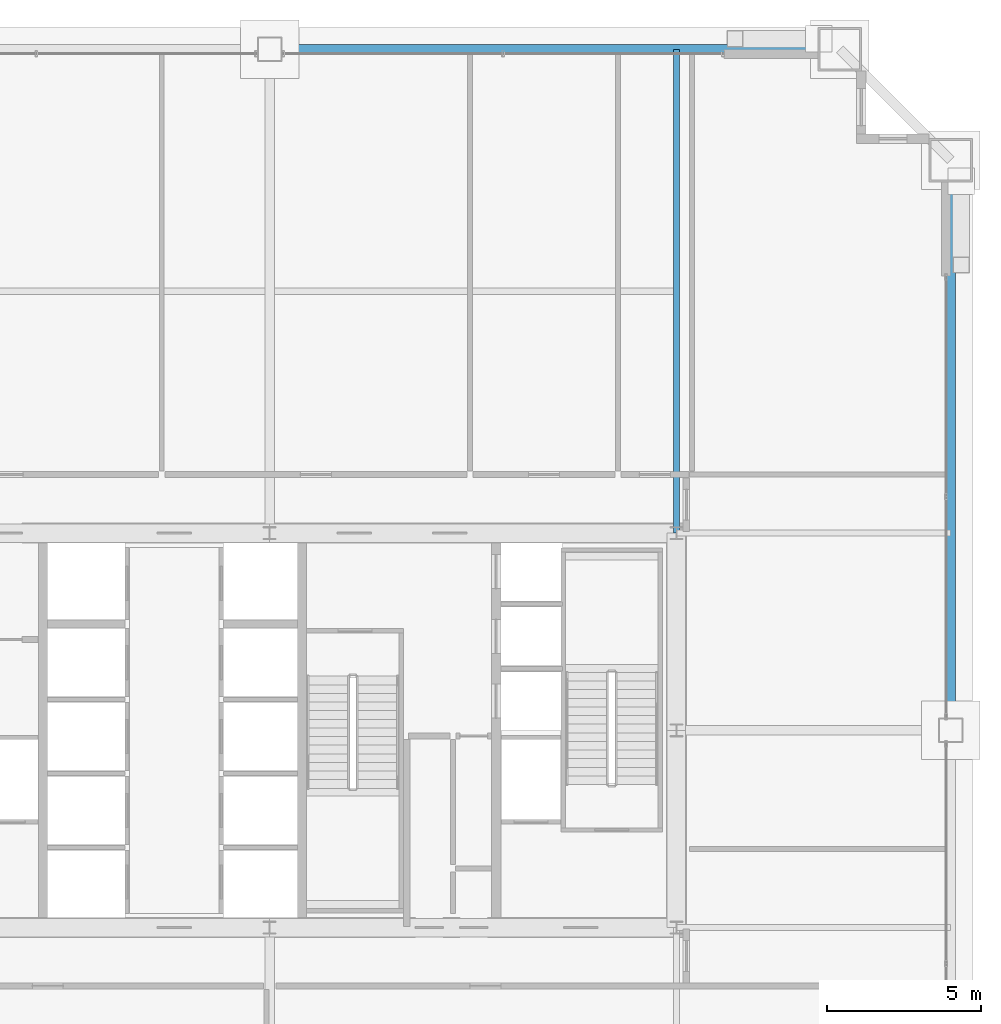
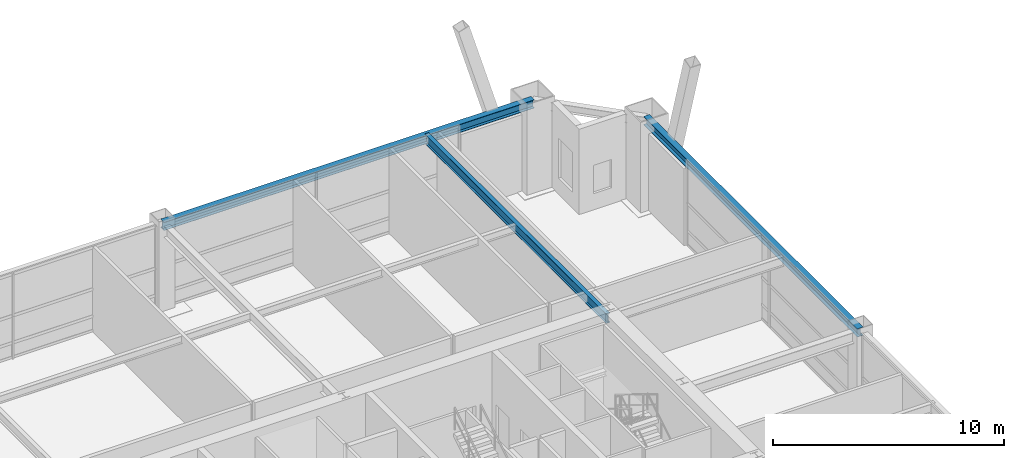
# One storey, part 27 of 34: 3 beams.
"""IFC4 building model written with IfcOpenShell, lengths in metres."""

from ifc_helpers import new_model, si_unit, direction, frame, origin, origin_2d, place, context, subcontext, project, spatial, i_section, extrude, source, transform, mapped, material, material_profile, profile_set, type_object, element, save


model = new_model("IFC4")

# Units and contexts
model_context = context("Model", 3, precision=1e-05, world=origin(), true_north=direction((0.0, 1.0)))
body_context = subcontext(model_context, "Body", "Model", "MODEL_VIEW")
ifc_project = project(units=[si_unit("LENGTHUNIT", "METRE"), si_unit("AREAUNIT", "SQUARE_METRE"), si_unit("VOLUMEUNIT", "CUBIC_METRE"), si_unit("PLANEANGLEUNIT", "RADIAN"), si_unit("MASSUNIT", "GRAM", prefix="KILO"), si_unit("THERMODYNAMICTEMPERATUREUNIT", "KELVIN"), si_unit("POWERUNIT", "WATT")], contexts=[model_context])

# Site, building, storey
site_placement = place(None, origin())
site = spatial("IfcSite", under=ifc_project, at=site_placement, CompositionType="ELEMENT")
building_placement = place(site_placement, origin())
building = spatial("IfcBuilding", under=site, at=building_placement, Name="Yuzanri Waterfront Tower", CompositionType="ELEMENT")
storey_placement = place(building_placement, frame((0.0, 0.0, 166.800048828125)))
storey = spatial("IfcBuildingStorey", under=building, at=storey_placement, Name="L44", CompositionType="ELEMENT", Elevation=166.800048828125)

# Beams
ifc_material_1 = material(Name="Steel Q355B", Category="steel")
ifc_material_profile_1 = material_profile(ifc_material_1, i_section(OverallWidth=0.300048828125, OverallDepth=0.43994140625, WebThickness=0.010986328125, FlangeThickness=0.01806640625, at=origin_2d()), Name="HM 440x300x11x18")
ifc_profile_set_1 = profile_set([ifc_material_profile_1], Name="Steel Q355B")
beam_type_1 = type_object("IfcBeamType", Name="Perimeter Spandrel Q355B HM 440x300", PredefinedType="SPANDREL", material=ifc_profile_set_1)
shared_shape_1 = source(origin(), body_context, "Body", "SweptSolid", [
    extrude(i_section(OverallWidth=0.300048828125, OverallDepth=0.43994140625, WebThickness=0.010986328125, FlangeThickness=0.01806640625, at=origin_2d()), origin(), (0.0, 0.0, 1.0), 18.5),
])
for number, where, z_axis, x_axis, name in (
    (1, (59.10009765625, 25.800048828125, 4.280029296875), (0.0, 1.0, 0.0), (-1.0, 0.0, 0.0), "L44 Perimeter Spandrel E2-E3"),
    (2, (55.5, 47.89990234375, 4.280029296875), (-1.0, 0.0, 0.0), (0.0, -1.0, 0.0), "L44 Perimeter Spandrel N3-N2"),
):
    element("IfcBeam", number, at=place(storey_placement, frame(where, z_axis=z_axis, x_axis=x_axis)), inside=storey, type_object=beam_type_1, Name=name, PredefinedType="SPANDREL", context=body_context, shape_type="MappedRepresentation", body=[
        mapped(shared_shape_1, transform((0.0, 0.0, 0.0), scale=1.0)),
    ])
ifc_material_2 = material(Name="Steel Q355B", Category="steel")
ifc_material_profile_2 = material_profile(ifc_material_2, i_section(OverallWidth=0.199951171875, OverallDepth=0.5, WebThickness=0.010009765625, FlangeThickness=0.01611328125, at=origin_2d()), Name="HN 500x200x10x16")
ifc_profile_set_2 = profile_set([ifc_material_profile_2], Name="Steel Q355B")
beam_type_2 = type_object("IfcBeamType", Name="Secondary Floor Beam Q355B HN 500x200", PredefinedType="BEAM", material=ifc_profile_set_2)
shared_shape_2 = source(origin(), body_context, "Body", "SweptSolid", [
    extrude(i_section(OverallWidth=0.199951171875, OverallDepth=0.5, WebThickness=0.010009765625, FlangeThickness=0.01611328125, at=origin_2d()), origin(), (0.0, 0.0, 1.0), 15.699951171875),
])
beam_placement = place(storey_placement, frame((50.199951171875, 32.199951171875, 4.25), z_axis=(0.0, 1.0, 0.0), x_axis=(-1.0, 0.0, 0.0)))
element("IfcBeam", 3, at=beam_placement, inside=storey, type_object=beam_type_2, Name="L44 North-East Core Line Beam", PredefinedType="BEAM", context=body_context, shape_type="MappedRepresentation", body=[
    mapped(shared_shape_2, transform((0.0, 0.0, 0.0), scale=1.0)),
])

save(model, "model.ifc")
